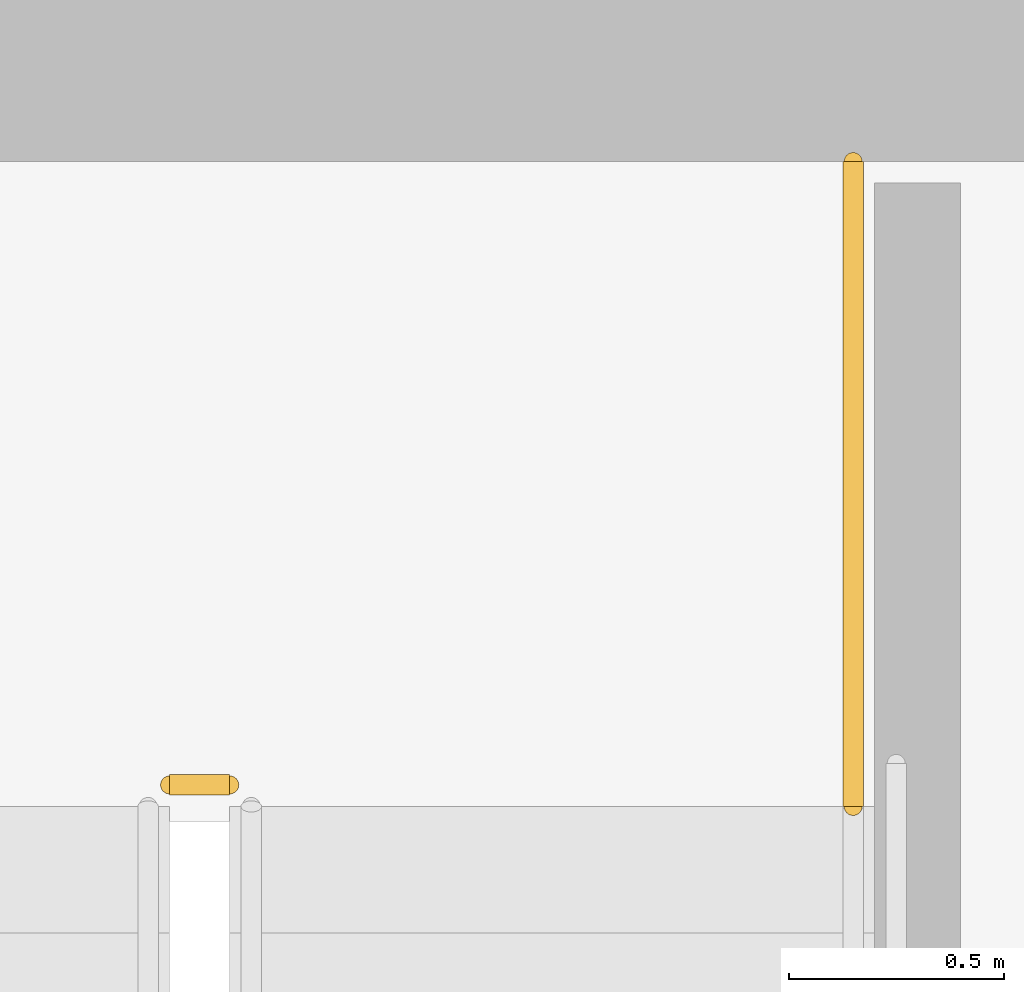
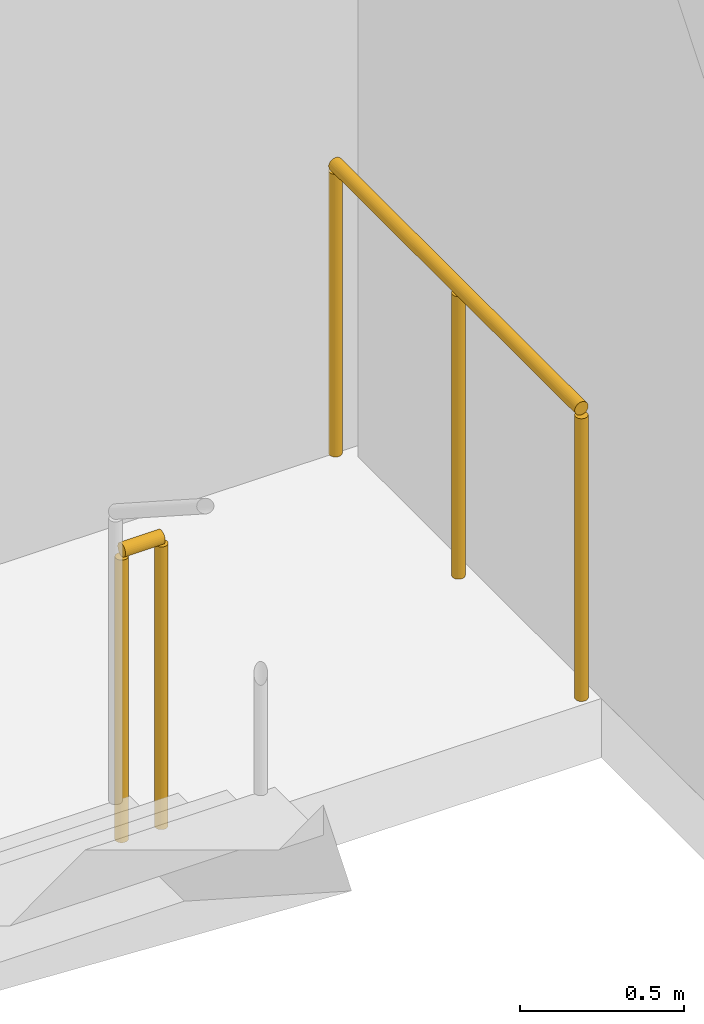
# One storey, part 31 of 32: 2 railings.
"""IFC4 building model written with IfcOpenShell, lengths in metres."""

from ifc_helpers import new_model, si_unit, direction, frame, origin, origin_2d, place, context, subcontext, project, spatial, circle, extrude, material, layer, layer_set, type_object, element, save


model = new_model("IFC4")

# Units and contexts
model_context = context("Model", 3, precision=1e-05, world=origin(), true_north=direction((0.0, 1.0)))
body_context = subcontext(model_context, "Body", "Model", "MODEL_VIEW")
ifc_project = project(units=[si_unit("LENGTHUNIT", "METRE"), si_unit("AREAUNIT", "SQUARE_METRE"), si_unit("VOLUMEUNIT", "CUBIC_METRE"), si_unit("PLANEANGLEUNIT", "RADIAN"), si_unit("MASSUNIT", "GRAM", prefix="KILO")], contexts=[model_context])

# Site, building, storey
site_placement = place(None, origin())
site = spatial("IfcSite", under=ifc_project, at=site_placement, CompositionType="ELEMENT")
building_placement = place(site_placement, origin())
building = spatial("IfcBuilding", under=site, at=building_placement, Name="Ndaravel Arena Tower", CompositionType="ELEMENT")
storey_placement = place(building_placement, frame((0.0, 0.0, 134.60009765625)))
storey = spatial("IfcBuildingStorey", under=building, at=storey_placement, Name="L31", CompositionType="ELEMENT", Elevation=134.60009765625)

# Railings
ifc_material = material(Name="Steel S355", Category="steel")
ifc_layer = layer(ifc_material, 0.06005859375)
ifc_layer_set = layer_set([ifc_layer], Name="Steel S355")
railing_type = type_object("IfcRailingType", Name="RAIL-STAIR-GD1100", PredefinedType="GUARDRAIL", material=ifc_layer_set)
railing_1_placement = place(storey_placement, frame((55.10009765625, 13.300048828125, 0.0)))
element("IfcRailing", 1, at=railing_1_placement, inside=storey, type_object=railing_type, Name="L31 ST-3 stair guard 4", PredefinedType="GUARDRAIL", context=body_context, shape_type="SweptSolid", body=[
    extrude(circle(Radius=0.02392578125, at=origin_2d()), frame((0.0, 0.0, 1.076171875), z_axis=(1.0, 0.0, 0.0), x_axis=(0.0, 1.0, 0.0)), (0.0, 0.0, 1.0), 0.139892578125),
    extrude(circle(Radius=0.02099609375, at=origin_2d()), origin(), (0.0, 0.0, 1.0), 1.052001953125),
    extrude(circle(Radius=0.02099609375, at=origin_2d()), frame((0.139892578125, 0.0, 0.0)), (0.0, 0.0, 1.0), 1.052001953125),
])
railing_2_placement = place(storey_placement, frame((56.68994140625, 14.75, 0.0)))
element("IfcRailing", 2, at=railing_2_placement, inside=storey, type_object=railing_type, Name="L31 ST-3 stair guard 5", PredefinedType="GUARDRAIL", context=body_context, shape_type="SweptSolid", body=[
    extrude(circle(Radius=0.02392578125, at=origin_2d()), frame((0.0, 0.0, 1.076171875), z_axis=(0.0, -1.0, 0.0), x_axis=(1.0, 0.0, 0.0)), (0.0, 0.0, 1.0), 1.5),
    extrude(circle(Radius=0.02099609375, at=origin_2d()), origin(), (0.0, 0.0, 1.0), 1.052001953125),
    extrude(circle(Radius=0.02099609375, at=origin_2d()), frame((0.0, -0.75, 0.0)), (0.0, 0.0, 1.0), 1.052001953125),
    extrude(circle(Radius=0.02099609375, at=origin_2d()), frame((0.0, -1.5, 0.0)), (0.0, 0.0, 1.0), 1.052001953125),
])

save(model, "model.ifc")
